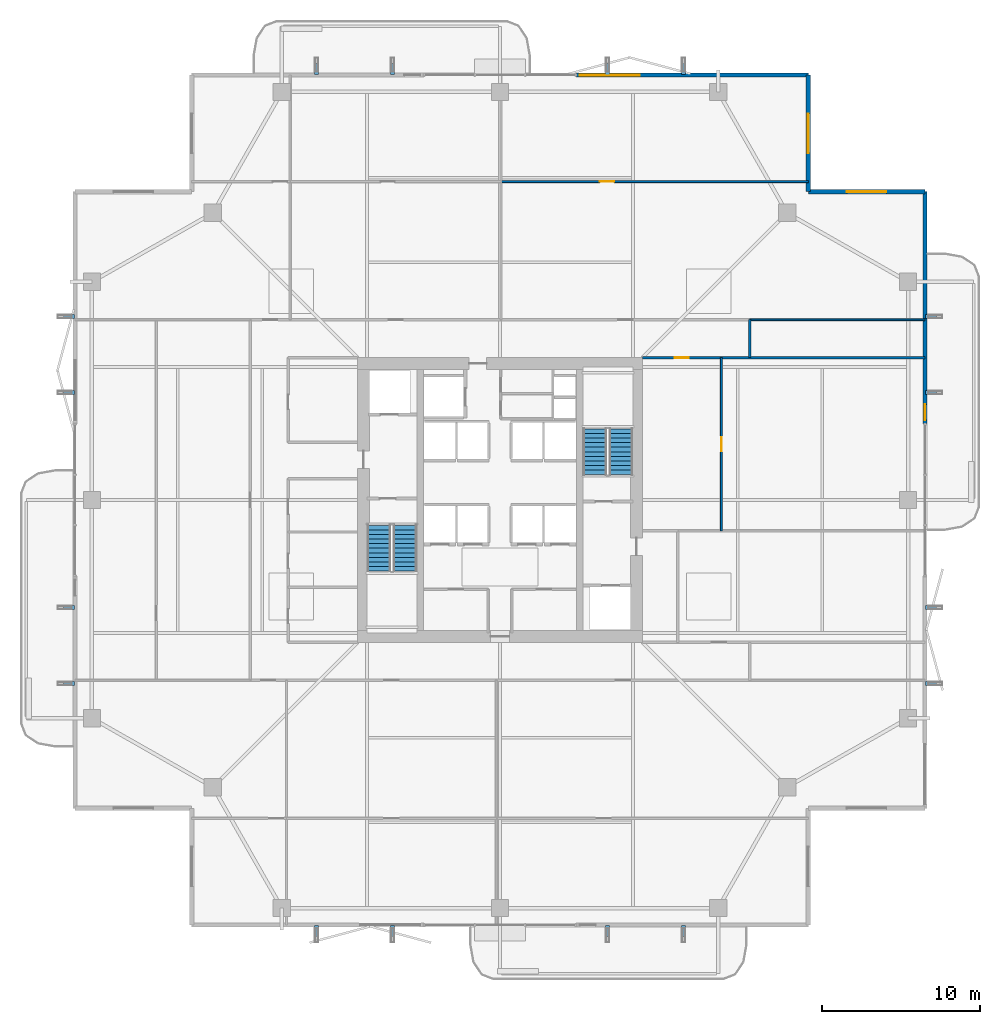
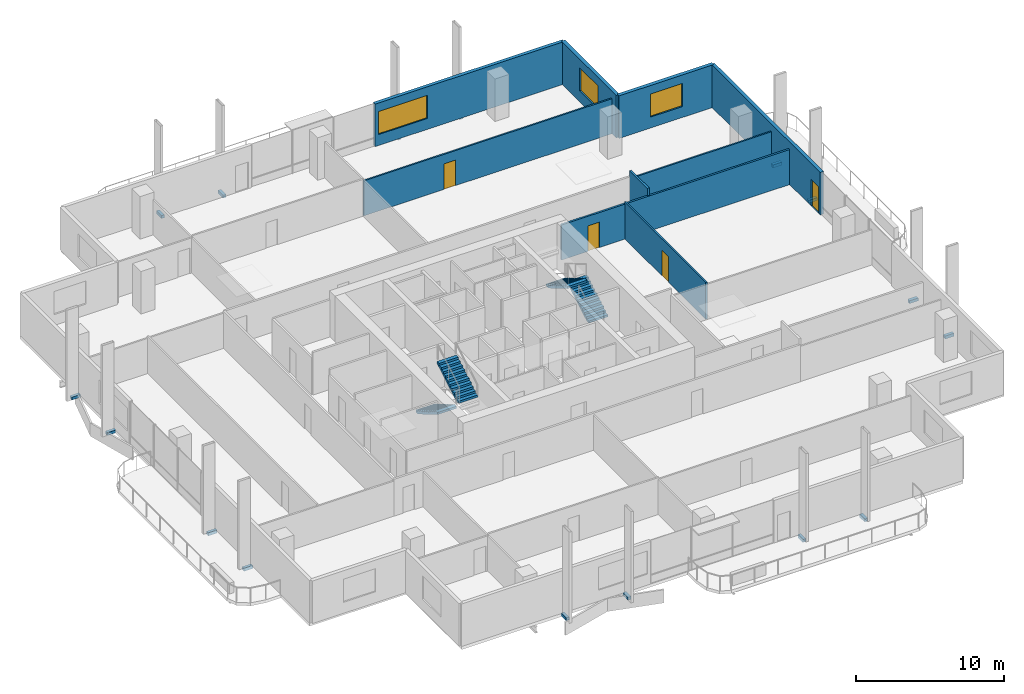
# One storey, part 20 of 24: 16 discrete accessories, 9 walls, 4 doors, 4 stair flights, 3 windows, 7 openings, 2 elements without a shape of their own.
"""IFC4 building model written with IfcOpenShell, lengths in metres."""

from ifc_helpers import new_model, si_unit, direction, frame, frame_2d, origin, origin_2d, place, context, subcontext, project, spatial, polyline, rectangle, outline, extrude, material, layer, layer_set, type_object, element, fill, aggregate, save


model = new_model("IFC4")

# Units and contexts
model_context = context("Model", 3, precision=1e-05, world=origin(), true_north=direction((0.0, 1.0)))
body_context = subcontext(model_context, "Body", "Model", "MODEL_VIEW")
ifc_project = project(units=[si_unit("LENGTHUNIT", "METRE"), si_unit("AREAUNIT", "SQUARE_METRE"), si_unit("VOLUMEUNIT", "CUBIC_METRE"), si_unit("PLANEANGLEUNIT", "RADIAN"), si_unit("MASSUNIT", "GRAM", prefix="KILO")], contexts=[model_context])

# Site, building, storey
site_placement = place(None, origin())
site = spatial("IfcSite", under=ifc_project, at=site_placement, CompositionType="ELEMENT")
building_placement = place(site_placement, origin())
building = spatial("IfcBuilding", under=site, at=building_placement, Name="Belovzor Exchange Tower", CompositionType="ELEMENT")
storey_placement = place(building_placement, frame((0.0, 0.0, 211.199951171875)))
storey = spatial("IfcBuildingStorey", under=building, at=storey_placement, Name="L52", CompositionType="ELEMENT", Elevation=211.199951171875)

# Wall, opening, door
ifc_material_1 = material(Name="Acoustic Plasterboard on Galvanised Studs", Category="gypsum")
ifc_layer_1 = layer(ifc_material_1, 0.1201171875)
ifc_layer_set_1 = layer_set([ifc_layer_1], Name="Acoustic Plasterboard on Galvanised Studs")
wall_type_1 = type_object("IfcWallType", Name="Acoustic Double-Stud Partition Wall 120", PredefinedType="PARTITIONING", material=ifc_layer_set_1)
wall_1_placement = place(storey_placement, frame((28.864990234375, 48.93505859375, 0.0), z_axis=(0.0, 0.0, 1.0), x_axis=(1.0, 0.0, 0.0)))
wall_1 = element("IfcWall", 1, at=wall_1_placement, inside=storey, type_object=wall_type_1, Name="W-P120 Partition Wall W-L52-NHDIV-2", PredefinedType="PARTITIONING", context=body_context, shape_type="SweptSolid", body=[
    extrude(rectangle(XDim=19.43505859375, YDim=0.1201171875, at=frame_2d((9.717529296875, 0.0))), origin(), (0.0, 0.0, 1.0), 2.885009765625),
])
opening_1_placement = place(wall_1_placement, frame((6.2451171875, 0.0, 0.0)))
opening_1 = element("IfcOpeningElement", 2, at=opening_1_placement, cuts=wall_1, Name="Opening D-INT-090", PredefinedType="OPENING", context=body_context, shape_type="SweptSolid", body=[
    extrude(rectangle(XDim=0.89990234375, YDim=2.10009765625, at=frame_2d((0.449951171875, 1.050048828125))), frame((0.0, 0.070068359375, 0.0), z_axis=(0.0, -1.0, 0.0), x_axis=(1.0, 0.0, 0.0)), (0.0, 0.0, 1.0), 0.14013671875),
])
ifc_material_2 = material(Name="Veneered Hardwood Acoustic Leaf", Category="wood")
door_type_1 = type_object("IfcDoorType", Name="Trading Suite Acoustic Single Door 900x2100", OperationType="NOTDEFINED", PredefinedType="DOOR", material=ifc_material_2)
door_1_placement = place(opening_1_placement, origin())
door_1 = element("IfcDoor", 3, at=door_1_placement, inside=storey, type_object=door_type_1, Name="D-INT-090 Trading Suite Acoustic Single Door 900x2100", OperationType="SINGLE_SWING_RIGHT", OverallHeight=2.10009765625, OverallWidth=0.89990234375, PredefinedType="DOOR", context=body_context, shape_type="SweptSolid", body=[
    extrude(rectangle(XDim=0.89990234375, YDim=2.10009765625, at=frame_2d((0.449951171875, 1.050048828125))), frame((0.0, 0.02490234375, 0.0), z_axis=(0.0, -1.0, 0.0), x_axis=(1.0, 0.0, 0.0)), (0.0, 0.0, 1.0), 0.050048828125),
])
fill(opening_1, door_1)

wall_2_placement = place(storey_placement, frame((42.800048828125, 26.85009765625, 0.0), z_axis=(0.0, 0.0, 1.0), x_axis=(0.0, 1.0, 0.0)))
wall_2 = element("IfcWall", 4, at=wall_2_placement, inside=storey, type_object=wall_type_1, Name="W-P120 Partition Wall W-L52-EDIV-2", PredefinedType="PARTITIONING", context=body_context, shape_type="SweptSolid", body=[
    extrude(rectangle(XDim=10.949951171875, YDim=0.1201171875, at=frame_2d((5.47509765625, 0.0))), origin(), (0.0, 0.0, 1.0), 3.03515625),
])
opening_2_placement = place(wall_2_placement, frame((5.02490234375, 0.0, 0.0)))
opening_2 = element("IfcOpeningElement", 5, at=opening_2_placement, cuts=wall_2, Name="Opening D-INT-090", PredefinedType="OPENING", context=body_context, shape_type="SweptSolid", body=[
    extrude(rectangle(XDim=0.89990234375, YDim=2.10009765625, at=frame_2d((0.449951171875, 1.050048828125))), frame((0.0, 0.070068359375, 0.0), z_axis=(0.0, -1.0, 0.0), x_axis=(1.0, 0.0, 0.0)), (0.0, 0.0, 1.0), 0.14013671875),
])
door_2_placement = place(opening_2_placement, origin())
door_2 = element("IfcDoor", 6, at=door_2_placement, inside=storey, type_object=door_type_1, Name="D-INT-090 Trading Suite Acoustic Single Door 900x2100", OperationType="SINGLE_SWING_RIGHT", OverallHeight=2.10009765625, OverallWidth=0.89990234375, PredefinedType="DOOR", context=body_context, shape_type="SweptSolid", body=[
    extrude(rectangle(XDim=0.89990234375, YDim=2.10009765625, at=frame_2d((0.449951171875, 1.050048828125))), frame((0.0, 0.02490234375, 0.0), z_axis=(0.0, -1.0, 0.0), x_axis=(1.0, 0.0, 0.0)), (0.0, 0.0, 1.0), 0.050048828125),
])
fill(opening_2, door_2)

# Walls
wall_3_placement = place(storey_placement, frame((44.60009765625, 40.199951171875, 0.0), z_axis=(0.0, 0.0, 1.0), x_axis=(1.0, 0.0, 0.0)))
element("IfcWall", 7, at=wall_3_placement, inside=storey, type_object=wall_type_1, Name="W-P120 Partition Wall W-L52-END-NE", PredefinedType="PARTITIONING", context=body_context, shape_type="SweptSolid", body=[
    extrude(rectangle(XDim=11.06982421875, YDim=0.1201171875, at=frame_2d((5.534912109375, 0.0))), origin(), (0.0, 0.0, 1.0), 2.885009765625),
])
ifc_material_3 = material(Name="Fire-Rated Gypsum Block and Mineral Wool", Category="gypsum")
ifc_layer_2 = layer(ifc_material_3, 0.14990234375)
ifc_layer_set_2 = layer_set([ifc_layer_2], Name="Fire-Rated Gypsum Block and Mineral Wool")
wall_type_2 = type_object("IfcWallType", Name="Fire-Rated Gypsum Block Corridor Wall 150", PredefinedType="PARTITIONING", material=ifc_layer_set_2)
wall_4_placement = place(storey_placement, frame((44.60009765625, 37.800048828125, 0.0), z_axis=(0.0, 0.0, 1.0), x_axis=(0.0, 1.0, 0.0)))
element("IfcWall", 8, at=wall_4_placement, inside=storey, type_object=wall_type_2, Name="W-P150 Partition Wall W-L52-END-EN", PredefinedType="PARTITIONING", context=body_context, shape_type="SweptSolid", body=[
    extrude(rectangle(XDim=2.39990234375, YDim=0.14990234375, at=frame_2d((1.199951171875, 0.0))), origin(), (0.0, 0.0, 1.0), 3.5),
])

# Wall, opening, door
wall_5_placement = place(storey_placement, frame((37.800048828125, 37.800048828125, 0.0), z_axis=(0.0, 0.0, 1.0), x_axis=(1.0, 0.0, 0.0)))
wall_5 = element("IfcWall", 9, at=wall_5_placement, inside=storey, type_object=wall_type_2, Name="W-P150 Partition Wall W-L52-CN-IN", PredefinedType="PARTITIONING", context=body_context, shape_type="SweptSolid", body=[
    extrude(rectangle(XDim=17.869873046875, YDim=0.14990234375, at=frame_2d((8.93505859375, 0.0))), origin(), (0.0, 0.0, 1.0), 2.885009765625),
])
opening_3_placement = place(wall_5_placement, frame((2.050048828125, 0.0, 0.0)))
opening_3 = element("IfcOpeningElement", 10, at=opening_3_placement, cuts=wall_5, Name="Opening D-INT-090", PredefinedType="OPENING", context=body_context, shape_type="SweptSolid", body=[
    extrude(rectangle(XDim=0.89990234375, YDim=2.10009765625, at=frame_2d((0.449951171875, 1.050048828125))), frame((0.0, 0.0849609375, 0.0), z_axis=(0.0, -1.0, 0.0), x_axis=(1.0, 0.0, 0.0)), (0.0, 0.0, 1.0), 0.169921875),
])
door_3_placement = place(opening_3_placement, origin())
door_3 = element("IfcDoor", 11, at=door_3_placement, inside=storey, type_object=door_type_1, Name="D-INT-090 Trading Suite Acoustic Single Door 900x2100", OperationType="SINGLE_SWING_RIGHT", OverallHeight=2.10009765625, OverallWidth=0.89990234375, PredefinedType="DOOR", context=body_context, shape_type="SweptSolid", body=[
    extrude(rectangle(XDim=0.89990234375, YDim=2.10009765625, at=frame_2d((0.449951171875, 1.050048828125))), frame((0.0, 0.02490234375, 0.0), z_axis=(0.0, -1.0, 0.0), x_axis=(1.0, 0.0, 0.0)), (0.0, 0.0, 1.0), 0.050048828125),
])
fill(opening_3, door_3)

# Wall, opening, window
ifc_material_4 = material(Name="Precast concrete C40/50", Category="concrete")
ifc_layer_3 = layer(ifc_material_4, 0.280029296875)
ifc_layer_set_3 = layer_set([ifc_layer_3], Name="Precast concrete C40/50")
wall_type_3 = type_object("IfcWallType", Name="Precast Concrete Notched Corner Frame Wall 280", PredefinedType="SOLIDWALL", material=ifc_layer_set_3)
wall_6_placement = place(storey_placement, frame((48.300048828125, 55.669921875, 0.0), z_axis=(0.0, 0.0, 1.0), x_axis=(0.0, -1.0, 0.0)))
wall_6 = element("IfcWall", 12, at=wall_6_placement, inside=storey, type_object=wall_type_3, Name="W-CRN280 Precast Concrete Notched Corner Frame Wall 280 L52", PredefinedType="SOLIDWALL", context=body_context, shape_type="SweptSolid", body=[
    extrude(rectangle(XDim=7.369873046875, YDim=0.280029296875, at=frame_2d((3.68505859375, 0.0))), origin(), (0.0, 0.0, 1.0), 3.5),
])
opening_4_placement = place(wall_6_placement, frame((2.43505859375, 0.0, 0.89990234375)))
opening_4 = element("IfcOpeningElement", 13, at=opening_4_placement, cuts=wall_6, Name="Opening WN-CRN250", PredefinedType="OPENING", context=body_context, shape_type="SweptSolid", body=[
    extrude(rectangle(XDim=2.5, YDim=1.89990234375, at=frame_2d((1.25, 0.949951171875))), frame((0.0, 0.14990234375, 0.0), z_axis=(0.0, -1.0, 0.0), x_axis=(1.0, 0.0, 0.0)), (0.0, 0.0, 1.0), 0.300048828125),
])
ifc_material_5 = material(Name="Thermally Broken Aluminium and Triple Glazing", Category="aluminium")
window_type_1 = type_object("IfcWindowType", Name="Streamline Moderne Corner Wrap Ribbon Window 2500x1900", PartitioningType="SINGLE_PANEL", PredefinedType="WINDOW", material=ifc_material_5)
window_1_placement = place(opening_4_placement, origin())
window_1 = element("IfcWindow", 14, at=window_1_placement, inside=storey, type_object=window_type_1, Name="WN-CRN250 Streamline Moderne Corner Wrap Ribbon Window 2500x1900", OverallHeight=1.89990234375, OverallWidth=2.5, PartitioningType="SINGLE_PANEL", PredefinedType="WINDOW", context=body_context, shape_type="SweptSolid", body=[
    extrude(rectangle(XDim=2.5, YDim=1.89990234375, at=frame_2d((1.25, 0.949951171875))), frame((0.0, 0.030029296875, 0.0), z_axis=(0.0, -1.0, 0.0), x_axis=(1.0, 0.0, 0.0)), (0.0, 0.0, 1.0), 0.06005859375),
])
fill(opening_4, window_1)

wall_7_placement = place(storey_placement, frame((48.300048828125, 48.300048828125, 0.0), z_axis=(0.0, 0.0, 1.0), x_axis=(1.0, 0.0, 0.0)))
wall_7 = element("IfcWall", 15, at=wall_7_placement, inside=storey, type_object=wall_type_3, Name="W-CRN280 Precast Concrete Notched Corner Frame Wall 280 L52", PredefinedType="SOLIDWALL", context=body_context, shape_type="SweptSolid", body=[
    extrude(rectangle(XDim=7.369873046875, YDim=0.280029296875, at=frame_2d((3.68505859375, 0.0))), origin(), (0.0, 0.0, 1.0), 3.5),
])
opening_5_placement = place(wall_7_placement, frame((2.43505859375, 0.0, 0.89990234375)))
opening_5 = element("IfcOpeningElement", 16, at=opening_5_placement, cuts=wall_7, Name="Opening WN-CRN250", PredefinedType="OPENING", context=body_context, shape_type="SweptSolid", body=[
    extrude(rectangle(XDim=2.5, YDim=1.89990234375, at=frame_2d((1.25, 0.949951171875))), frame((0.0, 0.14990234375, 0.0), z_axis=(0.0, -1.0, 0.0), x_axis=(1.0, 0.0, 0.0)), (0.0, 0.0, 1.0), 0.300048828125),
])
window_2_placement = place(opening_5_placement, origin())
window_2 = element("IfcWindow", 17, at=window_2_placement, inside=storey, type_object=window_type_1, Name="WN-CRN250 Streamline Moderne Corner Wrap Ribbon Window 2500x1900", OverallHeight=1.89990234375, OverallWidth=2.5, PartitioningType="SINGLE_PANEL", PredefinedType="WINDOW", context=body_context, shape_type="SweptSolid", body=[
    extrude(rectangle(XDim=2.5, YDim=1.89990234375, at=frame_2d((1.25, 0.949951171875))), frame((0.0, 0.030029296875, 0.0), z_axis=(0.0, -1.0, 0.0), x_axis=(1.0, 0.0, 0.0)), (0.0, 0.0, 1.0), 0.06005859375),
])
fill(opening_5, window_2)

ifc_material_6 = material(Name="Precast concrete C40/50", Category="concrete")
ifc_layer_4 = layer(ifc_material_6, 0.260009765625)
ifc_layer_set_4 = layer_set([ifc_layer_4], Name="Precast concrete C40/50")
wall_type_4 = type_object("IfcWallType", Name="Precast Concrete Perimeter Loggia Frame Wall 260", PredefinedType="SOLIDWALL", material=ifc_layer_set_4)
wall_8_placement = place(storey_placement, frame((33.60009765625, 55.669921875, 0.0), z_axis=(0.0, 0.0, 1.0), x_axis=(1.0, 0.0, 0.0)))
wall_8 = element("IfcWall", 18, at=wall_8_placement, inside=storey, type_object=wall_type_4, Name="W-EXT260 Precast Concrete Perimeter Loggia Frame Wall 260 L52", PredefinedType="SOLIDWALL", context=body_context, shape_type="SweptSolid", body=[
    extrude(rectangle(XDim=14.699951171875, YDim=0.260009765625, at=frame_2d((7.35009765625, 0.0))), origin(), (0.0, 0.0, 1.0), 3.5),
])
opening_6_placement = place(wall_8_placement, frame((0.25, 0.0, 0.89990234375)))
opening_6 = element("IfcOpeningElement", 19, at=opening_6_placement, cuts=wall_8, Name="Opening WN-RIB380", PredefinedType="OPENING", context=body_context, shape_type="SweptSolid", body=[
    extrude(rectangle(XDim=3.800048828125, YDim=1.89990234375, at=frame_2d((1.89990234375, 0.949951171875))), frame((0.0, 0.139892578125, 0.0), z_axis=(0.0, -1.0, 0.0), x_axis=(1.0, 0.0, 0.0)), (0.0, 0.0, 1.0), 0.280029296875),
])
ifc_material_7 = material(Name="Thermally Broken Aluminium and Triple Glazing", Category="aluminium")
window_type_2 = type_object("IfcWindowType", Name="Streamline Moderne Horizontal Ribbon Window 3800x1900", PartitioningType="SINGLE_PANEL", PredefinedType="WINDOW", material=ifc_material_7)
window_3_placement = place(opening_6_placement, origin())
window_3 = element("IfcWindow", 20, at=window_3_placement, inside=storey, type_object=window_type_2, Name="WN-RIB380 Streamline Moderne Horizontal Ribbon Window 3800x1900", OverallHeight=1.89990234375, OverallWidth=3.800048828125, PartitioningType="SINGLE_PANEL", PredefinedType="WINDOW", context=body_context, shape_type="SweptSolid", body=[
    extrude(rectangle(XDim=3.800048828125, YDim=1.89990234375, at=frame_2d((1.89990234375, 0.949951171875))), frame((0.0, 0.030029296875, 0.0), z_axis=(0.0, -1.0, 0.0), x_axis=(1.0, 0.0, 0.0)), (0.0, 0.0, 1.0), 0.06005859375),
])
fill(opening_6, window_3)

# Wall, opening, door
wall_9_placement = place(storey_placement, frame((55.669921875, 48.300048828125, 0.0), z_axis=(0.0, 0.0, 1.0), x_axis=(0.0, -1.0, 0.0)))
wall_9 = element("IfcWall", 21, at=wall_9_placement, inside=storey, type_object=wall_type_4, Name="W-EXT260 Precast Concrete Perimeter Loggia Frame Wall 260 L52", PredefinedType="SOLIDWALL", context=body_context, shape_type="SweptSolid", body=[
    extrude(rectangle(XDim=14.699951171875, YDim=0.260009765625, at=frame_2d((7.35009765625, 0.0))), origin(), (0.0, 0.0, 1.0), 3.5),
])
opening_7_placement = place(wall_9_placement, frame((13.449951171875, 0.0, 0.0)))
opening_7 = element("IfcOpeningElement", 22, at=opening_7_placement, cuts=wall_9, Name="Opening D-BAL100", PredefinedType="OPENING", context=body_context, shape_type="SweptSolid", body=[
    extrude(rectangle(XDim=1.0, YDim=2.199951171875, at=frame_2d((0.5, 1.10009765625))), frame((0.0, 0.139892578125, 0.0), z_axis=(0.0, -1.0, 0.0), x_axis=(1.0, 0.0, 0.0)), (0.0, 0.0, 1.0), 0.280029296875),
])
ifc_material_8 = material(Name="Thermally Broken Anodised Aluminium and Laminated Glass", Category="aluminium")
door_type_2 = type_object("IfcDoorType", Name="Planted Loggia Terrace Glazed Door 1000x2200", OperationType="SINGLE_SWING_LEFT", PredefinedType="DOOR", material=ifc_material_8)
door_4_placement = place(opening_7_placement, origin())
door_4 = element("IfcDoor", 23, at=door_4_placement, inside=storey, type_object=door_type_2, Name="D-BAL100 Balcony Terrace Door L52 E", OperationType="SINGLE_SWING_LEFT", OverallHeight=2.199951171875, OverallWidth=1.0, PredefinedType="DOOR", context=body_context, shape_type="SweptSolid", body=[
    extrude(rectangle(XDim=1.0, YDim=2.199951171875, at=frame_2d((0.5, 1.10009765625))), frame((0.0, 0.02490234375, 0.0), z_axis=(0.0, -1.0, 0.0), x_axis=(1.0, 0.0, 0.0)), (0.0, 0.0, 1.0), 0.050048828125),
])
fill(opening_7, door_4)

# Stair, stair flights
ifc_material_9 = material(Name="Concrete C40/50", Category="concrete")
stair_type = type_object("IfcStairType", Name="Reinforced Concrete Dogleg Escape Stair 1350", PredefinedType="HALF_TURN_STAIR", material=ifc_material_9)
stair_1_placement = place(storey_placement, origin())
stair_1 = element("IfcStair", 24, at=stair_1_placement, inside=storey, type_object=stair_type, Name="L52 ST-1", PredefinedType="HALF_TURN_STAIR")
ifc_material_10 = material(Name="Concrete C40/50", Category="concrete")
stair_flight_type = type_object("IfcStairFlightType", Name="Reinforced Concrete Stair Flight 1350", PredefinedType="STRAIGHT", material=ifc_material_10)
stair_flight_1_placement = place(storey_placement, frame((21.14990234375, 27.199951171875, 0.0), z_axis=(0.0, 0.0, 1.0), x_axis=(0.0, -1.0, 0.0)))
stair_flight_1 = element("IfcStairFlight", 25, at=stair_flight_1_placement, type_object=stair_flight_type, Name="ST-1 flight 1", NumberOfRisers=11, NumberOfTreads=10, PredefinedType="STRAIGHT", RiserHeight=0.170454545, TreadLength=0.29, context=body_context, shape_type="SweptSolid", body=[
    extrude(outline(polyline([(0.0, 0.0), (0.0, 0.17041015625), (0.2900390625, 0.17041015625), (0.2900390625, 0.3408203125), (0.580078125, 0.3408203125), (0.580078125, 0.511474609375), (0.8701171875, 0.511474609375), (0.8701171875, 0.681884765625), (1.159912109375, 0.681884765625), (1.159912109375, 0.852294921875), (1.449951171875, 0.852294921875), (1.449951171875, 1.022705078125), (1.739990234375, 1.022705078125), (1.739990234375, 1.193115234375), (2.030029296875, 1.193115234375), (2.030029296875, 1.363525390625), (2.320068359375, 1.363525390625), (2.320068359375, 1.5341796875), (2.610107421875, 1.5341796875), (2.610107421875, 1.70458984375), (2.89990234375, 1.70458984375), (2.89990234375, 1.875), (2.89990234375, 1.53076171875), (0.2958984375, 0.0), (0.0, 0.0)])), frame((0.0, 0.75, 0.0), z_axis=(0.0, -1.0, 0.0), x_axis=(1.0, 0.0, 0.0)), (0.0, 0.0, 1.0), 1.5),
])
stair_flight_2_placement = place(storey_placement, frame((22.800048828125, 24.300048828125, 1.875), z_axis=(0.0, 0.0, 1.0), x_axis=(0.0, 1.0, 0.0)))
stair_flight_2 = element("IfcStairFlight", 26, at=stair_flight_2_placement, type_object=stair_flight_type, Name="ST-1 flight 2", NumberOfRisers=11, NumberOfTreads=10, PredefinedType="STRAIGHT", RiserHeight=0.170454545, TreadLength=0.29, context=body_context, shape_type="SweptSolid", body=[
    extrude(outline(polyline([(0.0, 0.0), (0.0, 0.17041015625), (0.2900390625, 0.17041015625), (0.2900390625, 0.3408203125), (0.580078125, 0.3408203125), (0.580078125, 0.511474609375), (0.8701171875, 0.511474609375), (0.8701171875, 0.681884765625), (1.159912109375, 0.681884765625), (1.159912109375, 0.852294921875), (1.449951171875, 0.852294921875), (1.449951171875, 1.022705078125), (1.739990234375, 1.022705078125), (1.739990234375, 1.193115234375), (2.030029296875, 1.193115234375), (2.030029296875, 1.363525390625), (2.320068359375, 1.363525390625), (2.320068359375, 1.5341796875), (2.610107421875, 1.5341796875), (2.610107421875, 1.70458984375), (2.89990234375, 1.70458984375), (2.89990234375, 1.875), (2.89990234375, 1.53076171875), (0.2958984375, 0.0), (0.0, 0.0)])), frame((0.0, 0.75, 0.0), z_axis=(0.0, -1.0, 0.0), x_axis=(1.0, 0.0, 0.0)), (0.0, 0.0, 1.0), 1.5),
])
aggregate(stair_1, [stair_flight_1, stair_flight_2])

stair_2_placement = place(storey_placement, origin())
stair_2 = element("IfcStair", 27, at=stair_2_placement, inside=storey, type_object=stair_type, Name="L52 ST-2", PredefinedType="HALF_TURN_STAIR")
stair_flight_3_placement = place(storey_placement, frame((36.449951171875, 30.39990234375, 0.0), z_axis=(0.0, 0.0, 1.0), x_axis=(0.0, 1.0, 0.0)))
stair_flight_3 = element("IfcStairFlight", 28, at=stair_flight_3_placement, type_object=stair_flight_type, Name="ST-2 flight 1", NumberOfRisers=11, NumberOfTreads=10, PredefinedType="STRAIGHT", RiserHeight=0.170454545, TreadLength=0.29, context=body_context, shape_type="SweptSolid", body=[
    extrude(outline(polyline([(0.0, 0.0), (0.0, 0.17041015625), (0.2900390625, 0.17041015625), (0.2900390625, 0.3408203125), (0.580078125, 0.3408203125), (0.580078125, 0.511474609375), (0.8701171875, 0.511474609375), (0.8701171875, 0.681884765625), (1.159912109375, 0.681884765625), (1.159912109375, 0.852294921875), (1.449951171875, 0.852294921875), (1.449951171875, 1.022705078125), (1.739990234375, 1.022705078125), (1.739990234375, 1.193115234375), (2.030029296875, 1.193115234375), (2.030029296875, 1.363525390625), (2.320068359375, 1.363525390625), (2.320068359375, 1.5341796875), (2.610107421875, 1.5341796875), (2.610107421875, 1.70458984375), (2.89990234375, 1.70458984375), (2.89990234375, 1.875), (2.89990234375, 1.53076171875), (0.2958984375, 0.0), (0.0, 0.0)])), frame((0.0, 0.75, 0.0), z_axis=(0.0, -1.0, 0.0), x_axis=(1.0, 0.0, 0.0)), (0.0, 0.0, 1.0), 1.5),
])
stair_flight_4_placement = place(storey_placement, frame((34.800048828125, 33.300048828125, 1.875), z_axis=(0.0, 0.0, 1.0), x_axis=(0.0, -1.0, 0.0)))
stair_flight_4 = element("IfcStairFlight", 29, at=stair_flight_4_placement, type_object=stair_flight_type, Name="ST-2 flight 2", NumberOfRisers=11, NumberOfTreads=10, PredefinedType="STRAIGHT", RiserHeight=0.170454545, TreadLength=0.29, context=body_context, shape_type="SweptSolid", body=[
    extrude(outline(polyline([(0.0, 0.0), (0.0, 0.17041015625), (0.2900390625, 0.17041015625), (0.2900390625, 0.3408203125), (0.580078125, 0.3408203125), (0.580078125, 0.511474609375), (0.8701171875, 0.511474609375), (0.8701171875, 0.681884765625), (1.159912109375, 0.681884765625), (1.159912109375, 0.852294921875), (1.449951171875, 0.852294921875), (1.449951171875, 1.022705078125), (1.739990234375, 1.022705078125), (1.739990234375, 1.193115234375), (2.030029296875, 1.193115234375), (2.030029296875, 1.363525390625), (2.320068359375, 1.363525390625), (2.320068359375, 1.5341796875), (2.610107421875, 1.5341796875), (2.610107421875, 1.70458984375), (2.89990234375, 1.70458984375), (2.89990234375, 1.875), (2.89990234375, 1.53076171875), (0.2958984375, 0.0), (0.0, 0.0)])), frame((0.0, 0.75, 0.0), z_axis=(0.0, -1.0, 0.0), x_axis=(1.0, 0.0, 0.0)), (0.0, 0.0, 1.0), 1.5),
])
aggregate(stair_2, [stair_flight_3, stair_flight_4])

# Discrete accessories
ifc_material_11 = material(Name="Stainless Steel Grade 316", Category="steel")
ifc_layer_5 = layer(ifc_material_11, 0.179931640625)
ifc_layer_set_5 = layer_set([ifc_layer_5], Name="Stainless Steel Grade 316")
discrete_accessory_type = type_object("IfcDiscreteAccessoryType", Name="Stainless Steel Facade Outrigger Fixing Bracket", PredefinedType="BRACKET", material=ifc_layer_set_5)
for number, where, z_axis, x_axis, name in (
    (30, (17.199951171875, 1.5380859375, -0.2451171875), (0.0, 0.0, 1.0), (0.0, 1.0, 0.0), "BRK-FIN1 Sweeping Fin Outrigger Bracket L52 S1"),
    (31, (17.199951171875, 56.06201171875, -0.2451171875), (0.0, 0.0, 1.0), (0.0, 1.0, 0.0), "BRK-FIN1 Sweeping Fin Outrigger Bracket L52 N1"),
    (32, (1.5380859375, 17.199951171875, -0.2451171875), (0.0, 0.0, 1.0), (1.0, 0.0, 0.0), "BRK-FIN1 Sweeping Fin Outrigger Bracket L52 W1"),
    (33, (56.06201171875, 17.199951171875, -0.2451171875), (0.0, 0.0, 1.0), (1.0, 0.0, 0.0), "BRK-FIN1 Sweeping Fin Outrigger Bracket L52 E1"),
    (34, (22.0, 1.5380859375, -0.2451171875), (0.0, 0.0, 1.0), (0.0, 1.0, 0.0), "BRK-FIN1 Sweeping Fin Outrigger Bracket L52 S2"),
    (35, (22.0, 56.06201171875, -0.2451171875), (0.0, 0.0, 1.0), (0.0, 1.0, 0.0), "BRK-FIN1 Sweeping Fin Outrigger Bracket L52 N2"),
    (36, (1.5380859375, 22.0, -0.2451171875), (0.0, 0.0, 1.0), (1.0, 0.0, 0.0), "BRK-FIN1 Sweeping Fin Outrigger Bracket L52 W2"),
    (37, (56.06201171875, 22.0, -0.2451171875), (0.0, 0.0, 1.0), (1.0, 0.0, 0.0), "BRK-FIN1 Sweeping Fin Outrigger Bracket L52 E2"),
    (38, (35.60009765625, 1.5380859375, -0.2451171875), (0.0, 0.0, 1.0), (0.0, 1.0, 0.0), "BRK-FIN1 Sweeping Fin Outrigger Bracket L52 S3"),
    (39, (35.60009765625, 56.06201171875, -0.2451171875), (0.0, 0.0, 1.0), (0.0, 1.0, 0.0), "BRK-FIN1 Sweeping Fin Outrigger Bracket L52 N3"),
    (40, (1.5380859375, 35.60009765625, -0.2451171875), (0.0, 0.0, 1.0), (1.0, 0.0, 0.0), "BRK-FIN1 Sweeping Fin Outrigger Bracket L52 W3"),
    (41, (56.06201171875, 35.60009765625, -0.2451171875), (0.0, 0.0, 1.0), (1.0, 0.0, 0.0), "BRK-FIN1 Sweeping Fin Outrigger Bracket L52 E3"),
    (42, (40.39990234375, 1.5380859375, -0.2451171875), (0.0, 0.0, 1.0), (0.0, 1.0, 0.0), "BRK-FIN1 Sweeping Fin Outrigger Bracket L52 S4"),
    (43, (40.39990234375, 56.06201171875, -0.2451171875), (0.0, 0.0, 1.0), (0.0, 1.0, 0.0), "BRK-FIN1 Sweeping Fin Outrigger Bracket L52 N4"),
    (44, (1.5380859375, 40.39990234375, -0.2451171875), (0.0, 0.0, 1.0), (1.0, 0.0, 0.0), "BRK-FIN1 Sweeping Fin Outrigger Bracket L52 W4"),
    (45, (56.06201171875, 40.39990234375, -0.2451171875), (0.0, 0.0, 1.0), (1.0, 0.0, 0.0), "BRK-FIN1 Sweeping Fin Outrigger Bracket L52 E4"),
):
    element("IfcDiscreteAccessory", number, at=place(storey_placement, frame(where, z_axis=z_axis, x_axis=x_axis)), inside=storey, type_object=discrete_accessory_type, Name=name, PredefinedType="BRACKET", context=body_context, shape_type="SweptSolid", body=[
        extrude(rectangle(XDim=0.68505859375, YDim=0.239990234375, at=origin_2d()), origin(), (0.0, 0.0, 1.0), 0.239990234375),
    ])

save(model, "model.ifc")
